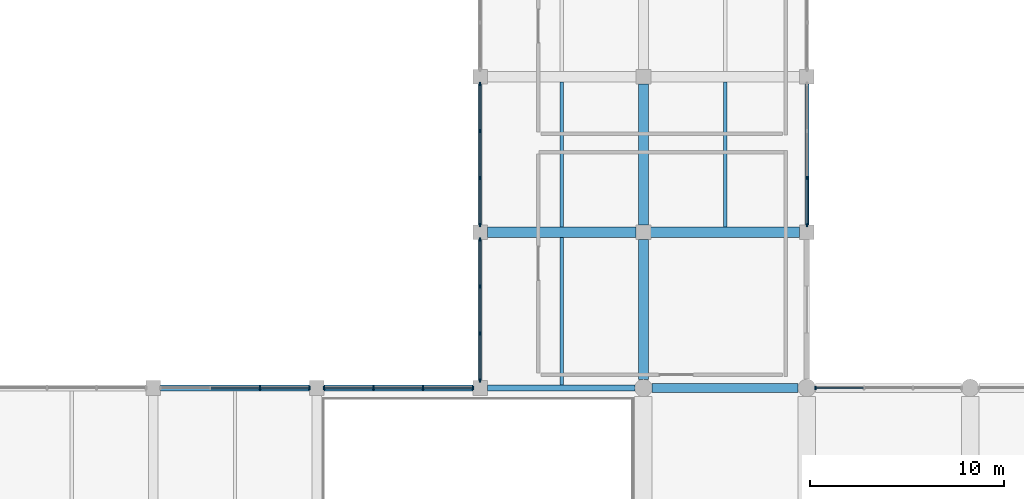
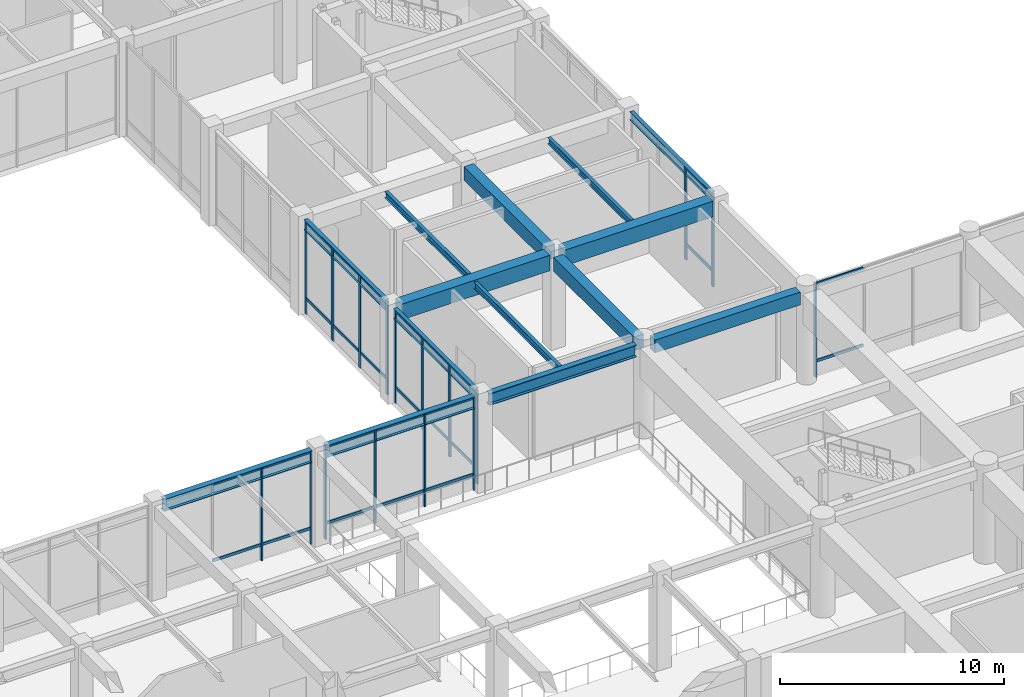
# One storey, part 29 of 79: 43 members, 14 beams, 6 elements without a shape of their own.
"""IFC4 building model written with IfcOpenShell, lengths in metres."""

from ifc_helpers import new_model, si_unit, direction, frame, origin, origin_2d, place, context, subcontext, project, spatial, rectangle, i_section, extrude, material, layer, layer_set, material_profile, profile_set, type_object, element, aggregate, save


model = new_model("IFC4")

# Units and contexts
model_context = context("Model", 3, precision=1e-05, world=origin(), true_north=direction((0.0, 1.0)))
body_context = subcontext(model_context, "Body", "Model", "MODEL_VIEW")
ifc_project = project(units=[si_unit("LENGTHUNIT", "METRE"), si_unit("AREAUNIT", "SQUARE_METRE"), si_unit("VOLUMEUNIT", "CUBIC_METRE"), si_unit("PLANEANGLEUNIT", "RADIAN"), si_unit("MASSUNIT", "GRAM", prefix="KILO")], contexts=[model_context])

# Site, building, storey
site_placement = place(None, origin())
site = spatial("IfcSite", under=ifc_project, at=site_placement, CompositionType="ELEMENT")
building_placement = place(site_placement, origin())
building = spatial("IfcBuilding", under=site, at=building_placement, Name="Naruveol Harbour Congress Hotel", CompositionType="ELEMENT")
storey_placement = place(building_placement, frame((0.0, 0.0, 6.0)))
storey = spatial("IfcBuildingStorey", under=building, at=storey_placement, Name="L01", CompositionType="ELEMENT", Elevation=6.0)

# Beams
ifc_material_1 = material(Name="Concrete C40/50", Category="concrete")
ifc_material_profile_1 = material_profile(ifc_material_1, rectangle(XDim=0.5, YDim=0.75, at=origin_2d()), Name="RCB-500x750")
ifc_profile_set_1 = profile_set([ifc_material_profile_1], Name="Concrete C40/50")
beam_type_1 = type_object("IfcBeamType", Name="RC FLOOR GIRDER 500X750", PredefinedType="BEAM", material=ifc_profile_set_1)
beam_1_placement = place(storey_placement, frame((117.60009765625, 32.446044921875, 4.675048828125), z_axis=(0.0, 1.0, 0.0), x_axis=(-1.0, 0.0, 0.0)))
element("IfcBeam", 1, at=beam_1_placement, inside=storey, type_object=beam_type_1, Name="Transverse girder L02 CB3", PredefinedType="BEAM", context=body_context, shape_type="SweptSolid", body=[
    extrude(rectangle(XDim=0.5, YDim=0.75, at=origin_2d()), origin(), (0.0, 0.0, 1.0), 7.182861328125),
])
beam_2_placement = place(storey_placement, frame((117.60009765625, 40.37109375, 4.77490234375), z_axis=(0.0, 1.0, 0.0), x_axis=(-1.0, 0.0, 0.0)))
element("IfcBeam", 2, at=beam_2_placement, inside=storey, type_object=beam_type_1, Name="Transverse girder L02 CB3", PredefinedType="BEAM", context=body_context, shape_type="SweptSolid", body=[
    extrude(rectangle(XDim=0.5, YDim=0.75, at=origin_2d()), origin(), (0.0, 0.0, 1.0), 7.2578125),
])
ifc_material_2 = material(Name="Concrete C40/50", Category="concrete")
ifc_material_profile_2 = material_profile(ifc_material_2, rectangle(XDim=0.550048828125, YDim=0.85009765625, at=origin_2d()), Name="RCB-550x850")
ifc_profile_set_2 = profile_set([ifc_material_profile_2], Name="Concrete C40/50")
beam_type_2 = type_object("IfcBeamType", Name="RC PRIMARY GIRDER 550X850", PredefinedType="BEAM", material=ifc_profile_set_2)
for number, where, z_axis, x_axis, name in (
    (3, (109.571044921875, 40.0, 4.72509765625), (1.0, 0.0, 0.0), (0.0, 1.0, 0.0), "Floor girder L02 CB2"),
    (4, (117.970947265625, 40.0, 4.72509765625), (1.0, 0.0, 0.0), (0.0, 1.0, 0.0), "Floor girder L02 CB2"),
):
    element("IfcBeam", number, at=place(storey_placement, frame(where, z_axis=z_axis, x_axis=x_axis)), inside=storey, type_object=beam_type_2, Name=name, PredefinedType="BEAM", context=body_context, shape_type="SweptSolid", body=[
        extrude(rectangle(XDim=0.550048828125, YDim=0.85009765625, at=origin_2d()), origin(), (0.0, 0.0, 1.0), 7.657958984375),
    ])
ifc_material_3 = material(Name="Concrete C40/50", Category="concrete")
ifc_material_profile_3 = material_profile(ifc_material_3, rectangle(XDim=0.449951171875, YDim=0.699951171875, at=origin_2d()), Name="RCB-450x700")
ifc_profile_set_3 = profile_set([ifc_material_profile_3], Name="Concrete C40/50")
beam_type_3 = type_object("IfcBeamType", Name="RC SPANDREL BEAM 450X700", PredefinedType="SPANDREL", material=ifc_profile_set_3)
beam_3_placement = place(storey_placement, frame((118.0458984375, 32.0, 4.699951171875), z_axis=(1.0, 0.0, 0.0), x_axis=(0.0, 1.0, 0.0)))
element("IfcBeam", 5, at=beam_3_placement, inside=storey, type_object=beam_type_3, Name="Hotel chord beam L02 SPB1", PredefinedType="SPANDREL", context=body_context, shape_type="SweptSolid", body=[
    extrude(rectangle(XDim=0.449951171875, YDim=0.699951171875, at=origin_2d()), origin(), (0.0, 0.0, 1.0), 7.508056640625),
])
ifc_material_4 = material(Name="Steel SN490", Category="steel")
ifc_material_profile_4 = material_profile(ifc_material_4, i_section(OverallWidth=0.300048828125, OverallDepth=0.64990234375, WebThickness=0.012939453125, FlangeThickness=0.02392578125, at=origin_2d()), Name="H-650x300x13x24")
ifc_profile_set_4 = profile_set([ifc_material_profile_4], Name="Steel SN490")
beam_type_4 = type_object("IfcBeamType", Name="STEEL ATRIUM TIE GIRDER H650", PredefinedType="BEAM", material=ifc_profile_set_4)
beam_4_placement = place(storey_placement, frame((92.77099609375, 32.0, 4.824951171875), z_axis=(1.0, 0.0, 0.0), x_axis=(0.0, 1.0, 0.0)))
element("IfcBeam", 6, at=beam_4_placement, inside=storey, type_object=beam_type_4, Name="Floor girder L02 SG2", PredefinedType="BEAM", context=body_context, shape_type="SweptSolid", body=[
    extrude(i_section(OverallWidth=0.300048828125, OverallDepth=0.64990234375, WebThickness=0.012939453125, FlangeThickness=0.02392578125, at=origin_2d()), origin(), (0.0, 0.0, 1.0), 7.657958984375),
])
beam_5_placement = place(storey_placement, frame((101.1708984375, 32.0, 4.824951171875), z_axis=(1.0, 0.0, 0.0), x_axis=(0.0, 1.0, 0.0)))
element("IfcBeam", 7, at=beam_5_placement, inside=storey, type_object=beam_type_4, Name="Floor girder L02 SG2", PredefinedType="BEAM", context=body_context, shape_type="SweptSolid", body=[
    extrude(i_section(OverallWidth=0.300048828125, OverallDepth=0.64990234375, WebThickness=0.012939453125, FlangeThickness=0.02392578125, at=origin_2d()), origin(), (0.0, 0.0, 1.0), 7.658203125),
])
beam_6_placement = place(storey_placement, frame((109.571044921875, 32.0, 4.72509765625), z_axis=(1.0, 0.0, 0.0), x_axis=(0.0, 1.0, 0.0)))
element("IfcBeam", 8, at=beam_6_placement, inside=storey, type_object=beam_type_4, Name="Floor girder L02 SG2", PredefinedType="BEAM", context=body_context, shape_type="SweptSolid", body=[
    extrude(i_section(OverallWidth=0.300048828125, OverallDepth=0.64990234375, WebThickness=0.012939453125, FlangeThickness=0.02392578125, at=origin_2d()), origin(), (0.0, 0.0, 1.0), 7.5830078125),
])
ifc_material_5 = material(Name="Steel SN490", Category="steel")
ifc_material_profile_5 = material_profile(ifc_material_5, i_section(OverallWidth=0.199951171875, OverallDepth=0.550048828125, WebThickness=0.010986328125, FlangeThickness=0.01708984375, at=origin_2d()), Name="H-550x200x11x17")
ifc_profile_set_5 = profile_set([ifc_material_profile_5], Name="Steel SN490")
beam_type_5 = type_object("IfcBeamType", Name="STEEL HALL GALLERY BEAM H550", PredefinedType="BEAM", material=ifc_profile_set_5)
for number, where, z_axis, x_axis, name in (
    (9, (109.199951171875, 32.37109375, 4.875), (0.0, 1.0, 0.0), (-1.0, 0.0, 0.0), "Transverse girder L02 SB4"),
    (10, (109.199951171875, 40.37109375, 4.875), (0.0, 1.0, 0.0), (-1.0, 0.0, 0.0), "Transverse girder L02 SB4"),
):
    element("IfcBeam", number, at=place(storey_placement, frame(where, z_axis=z_axis, x_axis=x_axis)), inside=storey, type_object=beam_type_5, Name=name, PredefinedType="BEAM", context=body_context, shape_type="SweptSolid", body=[
        extrude(i_section(OverallWidth=0.199951171875, OverallDepth=0.550048828125, WebThickness=0.010986328125, FlangeThickness=0.01708984375, at=origin_2d()), origin(), (0.0, 0.0, 1.0), 7.2578125),
    ])
ifc_material_6 = material(Name="Steel SN490", Category="steel")
ifc_material_profile_6 = material_profile(ifc_material_6, i_section(OverallWidth=0.175048828125, OverallDepth=0.35009765625, WebThickness=0.007080078125, FlangeThickness=0.010986328125, at=origin_2d()), Name="H-350x175x7x11")
ifc_profile_set_6 = profile_set([ifc_material_profile_6], Name="Steel SN490")
beam_type_6 = type_object("IfcBeamType", Name="STEEL SECONDARY JOIST H350", PredefinedType="JOIST", material=ifc_profile_set_6)
beam_7_placement = place(storey_placement, frame((113.39990234375, 32.14599609375, 4.875), z_axis=(0.0, 1.0, 0.0), x_axis=(-1.0, 0.0, 0.0)))
element("IfcBeam", 11, at=beam_7_placement, inside=storey, type_object=beam_type_6, Name="Secondary floor joist L02 SJ2", PredefinedType="JOIST", context=body_context, shape_type="SweptSolid", body=[
    extrude(i_section(OverallWidth=0.175048828125, OverallDepth=0.35009765625, WebThickness=0.007080078125, FlangeThickness=0.010986328125, at=origin_2d()), origin(), (0.0, 0.0, 1.0), 7.5830078125),
])
for number, where, z_axis, x_axis, name in (
    (12, (113.39990234375, 40.27099609375, 4.97509765625), (0.0, 1.0, 0.0), (-1.0, 0.0, 0.0), "Secondary floor joist L02 SJ2"),
    (13, (121.800048828125, 40.27099609375, 4.97509765625), (0.0, 1.0, 0.0), (-1.0, 0.0, 0.0), "Secondary floor joist L02 SJ2"),
):
    element("IfcBeam", number, at=place(storey_placement, frame(where, z_axis=z_axis, x_axis=x_axis)), inside=storey, type_object=beam_type_6, Name=name, PredefinedType="JOIST", context=body_context, shape_type="SweptSolid", body=[
        extrude(i_section(OverallWidth=0.175048828125, OverallDepth=0.35009765625, WebThickness=0.007080078125, FlangeThickness=0.010986328125, at=origin_2d()), origin(), (0.0, 0.0, 1.0), 7.4580078125),
    ])
ifc_material_7 = material(Name="Steel SN490", Category="steel")
ifc_material_profile_7 = material_profile(ifc_material_7, i_section(OverallWidth=0.199951171875, OverallDepth=0.449951171875, WebThickness=0.009033203125, FlangeThickness=0.013916015625, at=origin_2d()), Name="H-450x200x9x14")
ifc_profile_set_7 = profile_set([ifc_material_profile_7], Name="Steel SN490")
beam_type_7 = type_object("IfcBeamType", Name="STEEL SPANDREL EDGE BEAM H450", PredefinedType="SPANDREL", material=ifc_profile_set_7)
beam_8_placement = place(storey_placement, frame((126.0, 40.37109375, 4.925048828125), z_axis=(0.0, 1.0, 0.0), x_axis=(-1.0, 0.0, 0.0)))
element("IfcBeam", 14, at=beam_8_placement, inside=storey, type_object=beam_type_7, Name="Transverse girder L02 SPB2", PredefinedType="SPANDREL", context=body_context, shape_type="SweptSolid", body=[
    extrude(i_section(OverallWidth=0.199951171875, OverallDepth=0.449951171875, WebThickness=0.009033203125, FlangeThickness=0.013916015625, at=origin_2d()), origin(), (0.0, 0.0, 1.0), 7.2578125),
])

# Curtain wall, members
ifc_material_8 = material(Name="Low-E Curtain Wall System", Category="glass")
ifc_layer_1 = layer(ifc_material_8, 0.179931640625)
ifc_layer_set_1 = layer_set([ifc_layer_1], Name="Low-E Curtain Wall System")
curtain_wall_type_1 = type_object("IfcCurtainWallType", Name="UNITISED CURTAIN WALL CW-V4E-31 7250X5100", PredefinedType="USERDEFINED", material=ifc_layer_set_1)
curtain_wall_1_placement = place(storey_placement, origin())
curtain_wall_1 = element("IfcCurtainWall", 15, at=curtain_wall_1_placement, inside=storey, type_object=curtain_wall_type_1, Name="Unitised curtain wall CW-V4E-31 L01", ObjectType="UNITISED GLAZING", PredefinedType="USERDEFINED")
ifc_material_9 = material(Name="Anodised Aluminium 6063-T6", Category="aluminium")
ifc_material_profile_8 = material_profile(ifc_material_9, rectangle(XDim=0.074951171875, YDim=0.179931640625, at=origin_2d()), Name="ALU-75x180")
ifc_profile_set_8 = profile_set([ifc_material_profile_8], Name="Anodised Aluminium 6063-T6")
member_type_1 = type_object("IfcMemberType", Name="THERMAL ALUMINIUM MULLION 75X180", PredefinedType="MULLION", material=ifc_profile_set_8)
member_1_placement = place(storey_placement, frame((126.0, 42.791748046875, 0.0), z_axis=(0.0, 0.0, 1.0), x_axis=(1.0, 0.0, 0.0)))
member_1 = element("IfcMember", 16, at=member_1_placement, type_object=member_type_1, Name="Curtain wall mullion CW-L01-0075-M2", PredefinedType="MULLION", context=body_context, shape_type="SweptSolid", body=[
    extrude(rectangle(XDim=0.074951171875, YDim=0.179931640625, at=origin_2d()), origin(), (0.0, 0.0, 1.0), 5.10009765625),
])
member_2_placement = place(storey_placement, frame((126.0, 40.375, 0.0), z_axis=(0.0, 0.0, 1.0), x_axis=(1.0, 0.0, 0.0)))
member_2 = element("IfcMember", 17, at=member_2_placement, type_object=member_type_1, Name="Curtain wall mullion CW-L01-0075-M3", PredefinedType="MULLION", context=body_context, shape_type="SweptSolid", body=[
    extrude(rectangle(XDim=0.074951171875, YDim=0.179931640625, at=origin_2d()), origin(), (0.0, 0.0, 1.0), 5.10009765625),
])

ifc_material_10 = material(Name="Low-E Curtain Wall System", Category="glass")
ifc_layer_2 = layer(ifc_material_10, 0.179931640625)
ifc_layer_set_2 = layer_set([ifc_layer_2], Name="Low-E Curtain Wall System")
curtain_wall_type_2 = type_object("IfcCurtainWallType", Name="UNITISED CURTAIN WALL CW-CTS-35 7650X5100", PredefinedType="USERDEFINED", material=ifc_layer_set_2)
curtain_wall_2_placement = place(storey_placement, origin())
curtain_wall_2 = element("IfcCurtainWall", 18, at=curtain_wall_2_placement, inside=storey, type_object=curtain_wall_type_2, Name="Unitised curtain wall CW-CTS-35 L01", ObjectType="UNITISED GLAZING", PredefinedType="USERDEFINED")
member_3_placement = place(storey_placement, frame((97.875, 32.0, 0.0), z_axis=(0.0, 0.0, 1.0), x_axis=(1.0, 0.0, 0.0)))
member_3 = element("IfcMember", 19, at=member_3_placement, type_object=member_type_1, Name="Curtain wall mullion CW-L01-0085-M2", PredefinedType="MULLION", context=body_context, shape_type="SweptSolid", body=[
    extrude(rectangle(XDim=0.074951171875, YDim=0.179931640625, at=origin_2d()), origin(), (0.0, 0.0, 1.0), 5.10009765625),
])
member_4_placement = place(storey_placement, frame((100.425048828125, 32.0, 0.0), z_axis=(0.0, 0.0, 1.0), x_axis=(1.0, 0.0, 0.0)))
member_4 = element("IfcMember", 20, at=member_4_placement, type_object=member_type_1, Name="Curtain wall mullion CW-L01-0085-M3", PredefinedType="MULLION", context=body_context, shape_type="SweptSolid", body=[
    extrude(rectangle(XDim=0.074951171875, YDim=0.179931640625, at=origin_2d()), origin(), (0.0, 0.0, 1.0), 5.10009765625),
])

curtain_wall_3_placement = place(storey_placement, origin())
curtain_wall_3 = element("IfcCurtainWall", 21, at=curtain_wall_3_placement, inside=storey, type_object=curtain_wall_type_2, Name="Unitised curtain wall CW-CTS-35 L01", ObjectType="UNITISED GLAZING", PredefinedType="USERDEFINED")
member_5_placement = place(storey_placement, frame((101.175048828125, 32.0, 0.0), z_axis=(0.0, 0.0, 1.0), x_axis=(1.0, 0.0, 0.0)))
member_5 = element("IfcMember", 22, at=member_5_placement, type_object=member_type_1, Name="Curtain wall mullion CW-L01-0087-M0", PredefinedType="MULLION", context=body_context, shape_type="SweptSolid", body=[
    extrude(rectangle(XDim=0.074951171875, YDim=0.179931640625, at=origin_2d()), origin(), (0.0, 0.0, 1.0), 5.10009765625),
])
member_6_placement = place(storey_placement, frame((103.72509765625, 32.0, 0.0), z_axis=(0.0, 0.0, 1.0), x_axis=(1.0, 0.0, 0.0)))
member_6 = element("IfcMember", 23, at=member_6_placement, type_object=member_type_1, Name="Curtain wall mullion CW-L01-0087-M1", PredefinedType="MULLION", context=body_context, shape_type="SweptSolid", body=[
    extrude(rectangle(XDim=0.074951171875, YDim=0.179931640625, at=origin_2d()), origin(), (0.0, 0.0, 1.0), 5.10009765625),
])
member_7_placement = place(storey_placement, frame((106.27490234375, 32.0, 0.0), z_axis=(0.0, 0.0, 1.0), x_axis=(1.0, 0.0, 0.0)))
member_7 = element("IfcMember", 24, at=member_7_placement, type_object=member_type_1, Name="Curtain wall mullion CW-L01-0087-M2", PredefinedType="MULLION", context=body_context, shape_type="SweptSolid", body=[
    extrude(rectangle(XDim=0.074951171875, YDim=0.179931640625, at=origin_2d()), origin(), (0.0, 0.0, 1.0), 5.10009765625),
])
member_8_placement = place(storey_placement, frame((108.824951171875, 32.0, 0.0), z_axis=(0.0, 0.0, 1.0), x_axis=(1.0, 0.0, 0.0)))
member_8 = element("IfcMember", 25, at=member_8_placement, type_object=member_type_1, Name="Curtain wall mullion CW-L01-0087-M3", PredefinedType="MULLION", context=body_context, shape_type="SweptSolid", body=[
    extrude(rectangle(XDim=0.074951171875, YDim=0.179931640625, at=origin_2d()), origin(), (0.0, 0.0, 1.0), 5.10009765625),
])

ifc_material_11 = material(Name="Low-E Curtain Wall System", Category="glass")
ifc_layer_3 = layer(ifc_material_11, 0.179931640625)
ifc_layer_set_3 = layer_set([ifc_layer_3], Name="Low-E Curtain Wall System")
curtain_wall_type_3 = type_object("IfcCurtainWallType", Name="UNITISED CURTAIN WALL CW-CTE-37 7250X5100", PredefinedType="USERDEFINED", material=ifc_layer_set_3)
curtain_wall_4_placement = place(storey_placement, origin())
curtain_wall_4 = element("IfcCurtainWall", 26, at=curtain_wall_4_placement, inside=storey, type_object=curtain_wall_type_3, Name="Unitised curtain wall CW-CTE-37 L01", ObjectType="UNITISED GLAZING", PredefinedType="USERDEFINED")
member_9_placement = place(storey_placement, frame((109.199951171875, 39.625, 0.0), z_axis=(0.0, 0.0, 1.0), x_axis=(1.0, 0.0, 0.0)))
member_9 = element("IfcMember", 27, at=member_9_placement, type_object=member_type_1, Name="Curtain wall mullion CW-L01-0089-M0", PredefinedType="MULLION", context=body_context, shape_type="SweptSolid", body=[
    extrude(rectangle(XDim=0.074951171875, YDim=0.179931640625, at=origin_2d()), origin(), (0.0, 0.0, 1.0), 5.10009765625),
])
member_10_placement = place(storey_placement, frame((109.199951171875, 37.208251953125, 0.0), z_axis=(0.0, 0.0, 1.0), x_axis=(1.0, 0.0, 0.0)))
member_10 = element("IfcMember", 28, at=member_10_placement, type_object=member_type_1, Name="Curtain wall mullion CW-L01-0089-M1", PredefinedType="MULLION", context=body_context, shape_type="SweptSolid", body=[
    extrude(rectangle(XDim=0.074951171875, YDim=0.179931640625, at=origin_2d()), origin(), (0.0, 0.0, 1.0), 5.10009765625),
])
member_11_placement = place(storey_placement, frame((109.199951171875, 34.791748046875, 0.0), z_axis=(0.0, 0.0, 1.0), x_axis=(1.0, 0.0, 0.0)))
member_11 = element("IfcMember", 29, at=member_11_placement, type_object=member_type_1, Name="Curtain wall mullion CW-L01-0089-M2", PredefinedType="MULLION", context=body_context, shape_type="SweptSolid", body=[
    extrude(rectangle(XDim=0.074951171875, YDim=0.179931640625, at=origin_2d()), origin(), (0.0, 0.0, 1.0), 5.10009765625),
])
member_12_placement = place(storey_placement, frame((109.199951171875, 32.375, 0.0), z_axis=(0.0, 0.0, 1.0), x_axis=(1.0, 0.0, 0.0)))
member_12 = element("IfcMember", 30, at=member_12_placement, type_object=member_type_1, Name="Curtain wall mullion CW-L01-0089-M3", PredefinedType="MULLION", context=body_context, shape_type="SweptSolid", body=[
    extrude(rectangle(XDim=0.074951171875, YDim=0.179931640625, at=origin_2d()), origin(), (0.0, 0.0, 1.0), 5.10009765625),
])

curtain_wall_5_placement = place(storey_placement, origin())
curtain_wall_5 = element("IfcCurtainWall", 31, at=curtain_wall_5_placement, inside=storey, type_object=curtain_wall_type_3, Name="Unitised curtain wall CW-CTE-37 L01", ObjectType="UNITISED GLAZING", PredefinedType="USERDEFINED")
member_13_placement = place(storey_placement, frame((109.199951171875, 47.625, 0.0), z_axis=(0.0, 0.0, 1.0), x_axis=(1.0, 0.0, 0.0)))
member_13 = element("IfcMember", 32, at=member_13_placement, type_object=member_type_1, Name="Curtain wall mullion CW-L01-0091-M0", PredefinedType="MULLION", context=body_context, shape_type="SweptSolid", body=[
    extrude(rectangle(XDim=0.074951171875, YDim=0.179931640625, at=origin_2d()), origin(), (0.0, 0.0, 1.0), 5.10009765625),
])
member_14_placement = place(storey_placement, frame((109.199951171875, 45.208251953125, 0.0), z_axis=(0.0, 0.0, 1.0), x_axis=(1.0, 0.0, 0.0)))
member_14 = element("IfcMember", 33, at=member_14_placement, type_object=member_type_1, Name="Curtain wall mullion CW-L01-0091-M1", PredefinedType="MULLION", context=body_context, shape_type="SweptSolid", body=[
    extrude(rectangle(XDim=0.074951171875, YDim=0.179931640625, at=origin_2d()), origin(), (0.0, 0.0, 1.0), 5.10009765625),
])
member_15_placement = place(storey_placement, frame((109.199951171875, 42.791748046875, 0.0), z_axis=(0.0, 0.0, 1.0), x_axis=(1.0, 0.0, 0.0)))
member_15 = element("IfcMember", 34, at=member_15_placement, type_object=member_type_1, Name="Curtain wall mullion CW-L01-0091-M2", PredefinedType="MULLION", context=body_context, shape_type="SweptSolid", body=[
    extrude(rectangle(XDim=0.074951171875, YDim=0.179931640625, at=origin_2d()), origin(), (0.0, 0.0, 1.0), 5.10009765625),
])
member_16_placement = place(storey_placement, frame((109.199951171875, 40.375, 0.0), z_axis=(0.0, 0.0, 1.0), x_axis=(1.0, 0.0, 0.0)))
member_16 = element("IfcMember", 35, at=member_16_placement, type_object=member_type_1, Name="Curtain wall mullion CW-L01-0091-M3", PredefinedType="MULLION", context=body_context, shape_type="SweptSolid", body=[
    extrude(rectangle(XDim=0.074951171875, YDim=0.179931640625, at=origin_2d()), origin(), (0.0, 0.0, 1.0), 5.10009765625),
])

# Curtain wall, member
ifc_material_12 = material(Name="Low-E Curtain Wall System", Category="glass")
ifc_layer_4 = layer(ifc_material_12, 0.179931640625)
ifc_layer_set_4 = layer_set([ifc_layer_4], Name="Low-E Curtain Wall System")
curtain_wall_type_4 = type_object("IfcCurtainWallType", Name="UNITISED CURTAIN WALL CW-V5N-51 7500X5120", PredefinedType="USERDEFINED", material=ifc_layer_set_4)
curtain_wall_6_placement = place(storey_placement, origin())
curtain_wall_6 = element("IfcCurtainWall", 36, at=curtain_wall_6_placement, inside=storey, type_object=curtain_wall_type_4, Name="Unitised curtain wall CW-V5N-51 L01", ObjectType="UNITISED GLAZING", PredefinedType="USERDEFINED")
member_17_placement = place(storey_placement, frame((126.449951171875, 32.0, 0.0), z_axis=(0.0, 0.0, 1.0), x_axis=(1.0, 0.0, 0.0)))
member_17 = element("IfcMember", 37, at=member_17_placement, type_object=member_type_1, Name="Curtain wall mullion CW-L01-0138-M0", PredefinedType="MULLION", context=body_context, shape_type="SweptSolid", body=[
    extrude(rectangle(XDim=0.074951171875, YDim=0.179931640625, at=origin_2d()), origin(), (0.0, 0.0, 1.0), 5.1201171875),
])

# Member
ifc_material_13 = material(Name="Anodised Aluminium 6063-T6", Category="aluminium")
ifc_material_profile_9 = material_profile(ifc_material_13, rectangle(XDim=0.074951171875, YDim=0.14990234375, at=origin_2d()), Name="ALU-75x150")
ifc_profile_set_9 = profile_set([ifc_material_profile_9], Name="Anodised Aluminium 6063-T6")
member_type_2 = type_object("IfcMemberType", Name="THERMAL ALUMINIUM TRANSOM 75X150", PredefinedType="USERDEFINED", material=ifc_profile_set_9)
member_18_placement = place(storey_placement, frame((126.0, 42.751708984375, 0.85009765625), z_axis=(0.0, -1.0, 0.0), x_axis=(1.0, 0.0, 0.0)))
member_18 = element("IfcMember", 38, at=member_18_placement, type_object=member_type_2, Name="Curtain wall transom CW-L01-0075-T2.1", ObjectType="TRANSOM", PredefinedType="USERDEFINED", context=body_context, shape_type="SweptSolid", body=[
    extrude(rectangle(XDim=0.074951171875, YDim=0.14990234375, at=origin_2d()), origin(), (0.0, 0.0, 1.0), 2.336669921875),
])

member_19_placement = place(storey_placement, frame((126.0, 42.751708984375, 5.02001953125), z_axis=(0.0, -1.0, 0.0), x_axis=(1.0, 0.0, 0.0)))
member_19 = element("IfcMember", 39, at=member_19_placement, type_object=member_type_2, Name="Curtain wall transom CW-L01-0075-T2.2", ObjectType="TRANSOM", PredefinedType="USERDEFINED", context=body_context, shape_type="SweptSolid", body=[
    extrude(rectangle(XDim=0.074951171875, YDim=0.14990234375, at=origin_2d()), origin(), (0.0, 0.0, 1.0), 2.336669921875),
])

aggregate(curtain_wall_1, [member_1, member_2, member_18, member_19])

member_20_placement = place(storey_placement, frame((95.364990234375, 32.0, 0.85009765625), z_axis=(1.0, 0.0, 0.0), x_axis=(0.0, 1.0, 0.0)))
member_20 = element("IfcMember", 40, at=member_20_placement, type_object=member_type_2, Name="Curtain wall transom CW-L01-0085-T1.1", ObjectType="TRANSOM", PredefinedType="USERDEFINED", context=body_context, shape_type="SweptSolid", body=[
    extrude(rectangle(XDim=0.074951171875, YDim=0.14990234375, at=origin_2d()), origin(), (0.0, 0.0, 1.0), 2.469970703125),
])

member_21_placement = place(storey_placement, frame((95.364990234375, 32.0, 5.02001953125), z_axis=(1.0, 0.0, 0.0), x_axis=(0.0, 1.0, 0.0)))
member_21 = element("IfcMember", 41, at=member_21_placement, type_object=member_type_2, Name="Curtain wall transom CW-L01-0085-T1.2", ObjectType="TRANSOM", PredefinedType="USERDEFINED", context=body_context, shape_type="SweptSolid", body=[
    extrude(rectangle(XDim=0.074951171875, YDim=0.14990234375, at=origin_2d()), origin(), (0.0, 0.0, 1.0), 2.469970703125),
])

member_22_placement = place(storey_placement, frame((97.9150390625, 32.0, 0.85009765625), z_axis=(1.0, 0.0, 0.0), x_axis=(0.0, 1.0, 0.0)))
member_22 = element("IfcMember", 42, at=member_22_placement, type_object=member_type_2, Name="Curtain wall transom CW-L01-0085-T2.1", ObjectType="TRANSOM", PredefinedType="USERDEFINED", context=body_context, shape_type="SweptSolid", body=[
    extrude(rectangle(XDim=0.074951171875, YDim=0.14990234375, at=origin_2d()), origin(), (0.0, 0.0, 1.0), 2.469970703125),
])

member_23_placement = place(storey_placement, frame((97.9150390625, 32.0, 5.02001953125), z_axis=(1.0, 0.0, 0.0), x_axis=(0.0, 1.0, 0.0)))
member_23 = element("IfcMember", 43, at=member_23_placement, type_object=member_type_2, Name="Curtain wall transom CW-L01-0085-T2.2", ObjectType="TRANSOM", PredefinedType="USERDEFINED", context=body_context, shape_type="SweptSolid", body=[
    extrude(rectangle(XDim=0.074951171875, YDim=0.14990234375, at=origin_2d()), origin(), (0.0, 0.0, 1.0), 2.469970703125),
])

aggregate(curtain_wall_2, [member_3, member_4, member_20, member_21, member_22, member_23])

member_24_placement = place(storey_placement, frame((101.215087890625, 32.0, 0.85009765625), z_axis=(1.0, 0.0, 0.0), x_axis=(0.0, 1.0, 0.0)))
member_24 = element("IfcMember", 44, at=member_24_placement, type_object=member_type_2, Name="Curtain wall transom CW-L01-0087-T0.1", ObjectType="TRANSOM", PredefinedType="USERDEFINED", context=body_context, shape_type="SweptSolid", body=[
    extrude(rectangle(XDim=0.074951171875, YDim=0.14990234375, at=origin_2d()), origin(), (0.0, 0.0, 1.0), 2.469970703125),
])

member_25_placement = place(storey_placement, frame((101.215087890625, 32.0, 5.02001953125), z_axis=(1.0, 0.0, 0.0), x_axis=(0.0, 1.0, 0.0)))
member_25 = element("IfcMember", 45, at=member_25_placement, type_object=member_type_2, Name="Curtain wall transom CW-L01-0087-T0.2", ObjectType="TRANSOM", PredefinedType="USERDEFINED", context=body_context, shape_type="SweptSolid", body=[
    extrude(rectangle(XDim=0.074951171875, YDim=0.14990234375, at=origin_2d()), origin(), (0.0, 0.0, 1.0), 2.469970703125),
])

member_26_placement = place(storey_placement, frame((103.764892578125, 32.0, 0.85009765625), z_axis=(1.0, 0.0, 0.0), x_axis=(0.0, 1.0, 0.0)))
member_26 = element("IfcMember", 46, at=member_26_placement, type_object=member_type_2, Name="Curtain wall transom CW-L01-0087-T1.1", ObjectType="TRANSOM", PredefinedType="USERDEFINED", context=body_context, shape_type="SweptSolid", body=[
    extrude(rectangle(XDim=0.074951171875, YDim=0.14990234375, at=origin_2d()), origin(), (0.0, 0.0, 1.0), 2.47021484375),
])

member_27_placement = place(storey_placement, frame((103.764892578125, 32.0, 5.02001953125), z_axis=(1.0, 0.0, 0.0), x_axis=(0.0, 1.0, 0.0)))
member_27 = element("IfcMember", 47, at=member_27_placement, type_object=member_type_2, Name="Curtain wall transom CW-L01-0087-T1.2", ObjectType="TRANSOM", PredefinedType="USERDEFINED", context=body_context, shape_type="SweptSolid", body=[
    extrude(rectangle(XDim=0.074951171875, YDim=0.14990234375, at=origin_2d()), origin(), (0.0, 0.0, 1.0), 2.47021484375),
])

member_28_placement = place(storey_placement, frame((106.31494140625, 32.0, 0.85009765625), z_axis=(1.0, 0.0, 0.0), x_axis=(0.0, 1.0, 0.0)))
member_28 = element("IfcMember", 48, at=member_28_placement, type_object=member_type_2, Name="Curtain wall transom CW-L01-0087-T2.1", ObjectType="TRANSOM", PredefinedType="USERDEFINED", context=body_context, shape_type="SweptSolid", body=[
    extrude(rectangle(XDim=0.074951171875, YDim=0.14990234375, at=origin_2d()), origin(), (0.0, 0.0, 1.0), 2.469970703125),
])

member_29_placement = place(storey_placement, frame((106.31494140625, 32.0, 5.02001953125), z_axis=(1.0, 0.0, 0.0), x_axis=(0.0, 1.0, 0.0)))
member_29 = element("IfcMember", 49, at=member_29_placement, type_object=member_type_2, Name="Curtain wall transom CW-L01-0087-T2.2", ObjectType="TRANSOM", PredefinedType="USERDEFINED", context=body_context, shape_type="SweptSolid", body=[
    extrude(rectangle(XDim=0.074951171875, YDim=0.14990234375, at=origin_2d()), origin(), (0.0, 0.0, 1.0), 2.469970703125),
])

aggregate(curtain_wall_3, [member_5, member_6, member_7, member_8, member_24, member_25, member_26, member_27, member_28, member_29])

member_30_placement = place(storey_placement, frame((109.199951171875, 39.5849609375, 0.85009765625), z_axis=(0.0, -1.0, 0.0), x_axis=(1.0, 0.0, 0.0)))
member_30 = element("IfcMember", 50, at=member_30_placement, type_object=member_type_2, Name="Curtain wall transom CW-L01-0089-T0.1", ObjectType="TRANSOM", PredefinedType="USERDEFINED", context=body_context, shape_type="SweptSolid", body=[
    extrude(rectangle(XDim=0.074951171875, YDim=0.14990234375, at=origin_2d()), origin(), (0.0, 0.0, 1.0), 2.336669921875),
])

member_31_placement = place(storey_placement, frame((109.199951171875, 39.5849609375, 5.02001953125), z_axis=(0.0, -1.0, 0.0), x_axis=(1.0, 0.0, 0.0)))
member_31 = element("IfcMember", 51, at=member_31_placement, type_object=member_type_2, Name="Curtain wall transom CW-L01-0089-T0.2", ObjectType="TRANSOM", PredefinedType="USERDEFINED", context=body_context, shape_type="SweptSolid", body=[
    extrude(rectangle(XDim=0.074951171875, YDim=0.14990234375, at=origin_2d()), origin(), (0.0, 0.0, 1.0), 2.336669921875),
])

member_32_placement = place(storey_placement, frame((109.199951171875, 37.168212890625, 0.85009765625), z_axis=(0.0, -1.0, 0.0), x_axis=(1.0, 0.0, 0.0)))
member_32 = element("IfcMember", 52, at=member_32_placement, type_object=member_type_2, Name="Curtain wall transom CW-L01-0089-T1.1", ObjectType="TRANSOM", PredefinedType="USERDEFINED", context=body_context, shape_type="SweptSolid", body=[
    extrude(rectangle(XDim=0.074951171875, YDim=0.14990234375, at=origin_2d()), origin(), (0.0, 0.0, 1.0), 2.33642578125),
])

member_33_placement = place(storey_placement, frame((109.199951171875, 37.168212890625, 5.02001953125), z_axis=(0.0, -1.0, 0.0), x_axis=(1.0, 0.0, 0.0)))
member_33 = element("IfcMember", 53, at=member_33_placement, type_object=member_type_2, Name="Curtain wall transom CW-L01-0089-T1.2", ObjectType="TRANSOM", PredefinedType="USERDEFINED", context=body_context, shape_type="SweptSolid", body=[
    extrude(rectangle(XDim=0.074951171875, YDim=0.14990234375, at=origin_2d()), origin(), (0.0, 0.0, 1.0), 2.33642578125),
])

member_34_placement = place(storey_placement, frame((109.199951171875, 34.751708984375, 0.85009765625), z_axis=(0.0, -1.0, 0.0), x_axis=(1.0, 0.0, 0.0)))
member_34 = element("IfcMember", 54, at=member_34_placement, type_object=member_type_2, Name="Curtain wall transom CW-L01-0089-T2.1", ObjectType="TRANSOM", PredefinedType="USERDEFINED", context=body_context, shape_type="SweptSolid", body=[
    extrude(rectangle(XDim=0.074951171875, YDim=0.14990234375, at=origin_2d()), origin(), (0.0, 0.0, 1.0), 2.336669921875),
])

member_35_placement = place(storey_placement, frame((109.199951171875, 34.751708984375, 5.02001953125), z_axis=(0.0, -1.0, 0.0), x_axis=(1.0, 0.0, 0.0)))
member_35 = element("IfcMember", 55, at=member_35_placement, type_object=member_type_2, Name="Curtain wall transom CW-L01-0089-T2.2", ObjectType="TRANSOM", PredefinedType="USERDEFINED", context=body_context, shape_type="SweptSolid", body=[
    extrude(rectangle(XDim=0.074951171875, YDim=0.14990234375, at=origin_2d()), origin(), (0.0, 0.0, 1.0), 2.336669921875),
])

aggregate(curtain_wall_4, [member_9, member_10, member_11, member_12, member_30, member_31, member_32, member_33, member_34, member_35])

member_36_placement = place(storey_placement, frame((109.199951171875, 47.5849609375, 0.85009765625), z_axis=(0.0, -1.0, 0.0), x_axis=(1.0, 0.0, 0.0)))
member_36 = element("IfcMember", 56, at=member_36_placement, type_object=member_type_2, Name="Curtain wall transom CW-L01-0091-T0.1", ObjectType="TRANSOM", PredefinedType="USERDEFINED", context=body_context, shape_type="SweptSolid", body=[
    extrude(rectangle(XDim=0.074951171875, YDim=0.14990234375, at=origin_2d()), origin(), (0.0, 0.0, 1.0), 2.336669921875),
])

member_37_placement = place(storey_placement, frame((109.199951171875, 47.5849609375, 5.02001953125), z_axis=(0.0, -1.0, 0.0), x_axis=(1.0, 0.0, 0.0)))
member_37 = element("IfcMember", 57, at=member_37_placement, type_object=member_type_2, Name="Curtain wall transom CW-L01-0091-T0.2", ObjectType="TRANSOM", PredefinedType="USERDEFINED", context=body_context, shape_type="SweptSolid", body=[
    extrude(rectangle(XDim=0.074951171875, YDim=0.14990234375, at=origin_2d()), origin(), (0.0, 0.0, 1.0), 2.336669921875),
])

member_38_placement = place(storey_placement, frame((109.199951171875, 45.168212890625, 0.85009765625), z_axis=(0.0, -1.0, 0.0), x_axis=(1.0, 0.0, 0.0)))
member_38 = element("IfcMember", 58, at=member_38_placement, type_object=member_type_2, Name="Curtain wall transom CW-L01-0091-T1.1", ObjectType="TRANSOM", PredefinedType="USERDEFINED", context=body_context, shape_type="SweptSolid", body=[
    extrude(rectangle(XDim=0.074951171875, YDim=0.14990234375, at=origin_2d()), origin(), (0.0, 0.0, 1.0), 2.33642578125),
])

member_39_placement = place(storey_placement, frame((109.199951171875, 45.168212890625, 5.02001953125), z_axis=(0.0, -1.0, 0.0), x_axis=(1.0, 0.0, 0.0)))
member_39 = element("IfcMember", 59, at=member_39_placement, type_object=member_type_2, Name="Curtain wall transom CW-L01-0091-T1.2", ObjectType="TRANSOM", PredefinedType="USERDEFINED", context=body_context, shape_type="SweptSolid", body=[
    extrude(rectangle(XDim=0.074951171875, YDim=0.14990234375, at=origin_2d()), origin(), (0.0, 0.0, 1.0), 2.33642578125),
])

member_40_placement = place(storey_placement, frame((109.199951171875, 42.751708984375, 0.85009765625), z_axis=(0.0, -1.0, 0.0), x_axis=(1.0, 0.0, 0.0)))
member_40 = element("IfcMember", 60, at=member_40_placement, type_object=member_type_2, Name="Curtain wall transom CW-L01-0091-T2.1", ObjectType="TRANSOM", PredefinedType="USERDEFINED", context=body_context, shape_type="SweptSolid", body=[
    extrude(rectangle(XDim=0.074951171875, YDim=0.14990234375, at=origin_2d()), origin(), (0.0, 0.0, 1.0), 2.336669921875),
])

member_41_placement = place(storey_placement, frame((109.199951171875, 42.751708984375, 5.02001953125), z_axis=(0.0, -1.0, 0.0), x_axis=(1.0, 0.0, 0.0)))
member_41 = element("IfcMember", 61, at=member_41_placement, type_object=member_type_2, Name="Curtain wall transom CW-L01-0091-T2.2", ObjectType="TRANSOM", PredefinedType="USERDEFINED", context=body_context, shape_type="SweptSolid", body=[
    extrude(rectangle(XDim=0.074951171875, YDim=0.14990234375, at=origin_2d()), origin(), (0.0, 0.0, 1.0), 2.336669921875),
])

aggregate(curtain_wall_5, [member_13, member_14, member_15, member_16, member_36, member_37, member_38, member_39, member_40, member_41])

member_42_placement = place(storey_placement, frame((126.489990234375, 32.0, 0.85009765625), z_axis=(1.0, 0.0, 0.0), x_axis=(0.0, 1.0, 0.0)))
member_42 = element("IfcMember", 62, at=member_42_placement, type_object=member_type_2, Name="Curtain wall transom CW-L01-0138-T0.1", ObjectType="TRANSOM", PredefinedType="USERDEFINED", context=body_context, shape_type="SweptSolid", body=[
    extrude(rectangle(XDim=0.074951171875, YDim=0.14990234375, at=origin_2d()), origin(), (0.0, 0.0, 1.0), 2.419921875),
])

member_43_placement = place(storey_placement, frame((126.489990234375, 32.0, 5.0400390625), z_axis=(1.0, 0.0, 0.0), x_axis=(0.0, 1.0, 0.0)))
member_43 = element("IfcMember", 63, at=member_43_placement, type_object=member_type_2, Name="Curtain wall transom CW-L01-0138-T0.2", ObjectType="TRANSOM", PredefinedType="USERDEFINED", context=body_context, shape_type="SweptSolid", body=[
    extrude(rectangle(XDim=0.074951171875, YDim=0.14990234375, at=origin_2d()), origin(), (0.0, 0.0, 1.0), 2.419921875),
])

aggregate(curtain_wall_6, [member_17, member_42, member_43])

save(model, "model.ifc")
